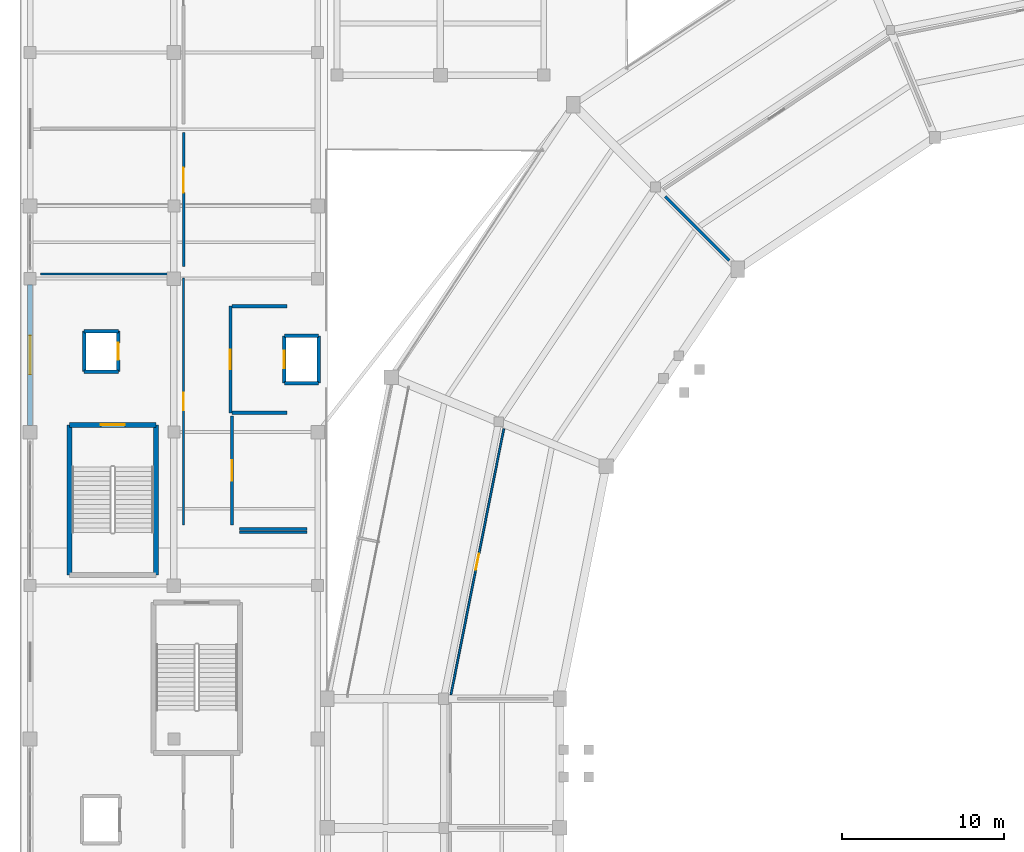
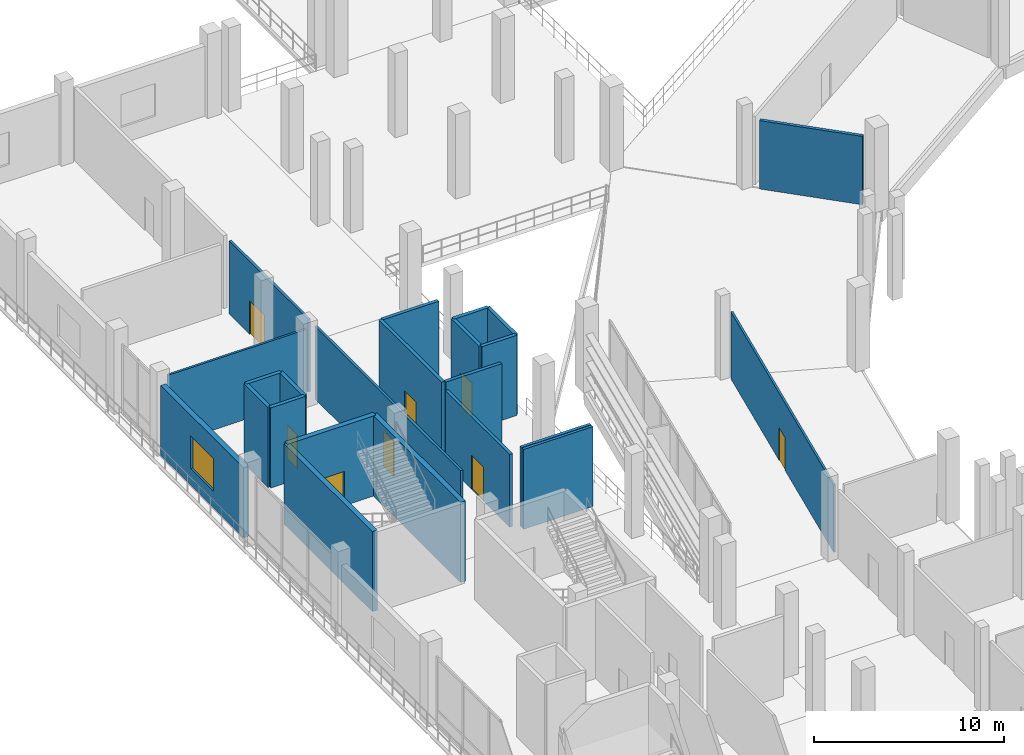
# One storey, part 75 of 114: 23 walls, 8 doors, 1 window, 9 openings.
"""IFC4 building model written with IfcOpenShell, lengths in metres."""

from ifc_helpers import new_model, si_unit, direction, frame, frame_2d, origin, place, context, subcontext, project, spatial, rectangle, extrude, material, layer, layer_set, type_object, element, fill, save


model = new_model("IFC4")

# Units and contexts
model_context = context("Model", 3, precision=1e-05, world=origin(), true_north=direction((0.0, 1.0)))
body_context = subcontext(model_context, "Body", "Model", "MODEL_VIEW")
ifc_project = project(units=[si_unit("LENGTHUNIT", "METRE"), si_unit("AREAUNIT", "SQUARE_METRE"), si_unit("VOLUMEUNIT", "CUBIC_METRE"), si_unit("PLANEANGLEUNIT", "RADIAN"), si_unit("MASSUNIT", "GRAM", prefix="KILO")], contexts=[model_context])

# Site, building, storey
site_placement = place(None, origin())
site = spatial("IfcSite", under=ifc_project, at=site_placement, CompositionType="ELEMENT")
building_placement = place(site_placement, origin())
building = spatial("IfcBuilding", under=site, at=building_placement, Name="Candeia Ridge Stadium", CompositionType="ELEMENT")
storey_placement = place(building_placement, frame((0.0, 0.0, 5.39990234375)))
storey = spatial("IfcBuildingStorey", under=building, at=storey_placement, Name="L01", CompositionType="ELEMENT", Elevation=5.39990234375)

# Wall, opening, door
ifc_material_1 = material(Name="Gypsum Metal-Stud Partition", Category="gypsum")
ifc_layer_1 = layer(ifc_material_1, 0.14501953125, Name="Gypsum Metal-Stud Partition", Category="gypsum")
ifc_layer_set_1 = layer_set([ifc_layer_1], Name="Gypsum Metal-Stud Partition")
wall_type_1 = type_object("IfcWallType", Name="Athlete Recovery Partition 145", PredefinedType="PARTITIONING", material=ifc_layer_set_1)
wall_1_placement = place(storey_placement, frame((10.10009765625, 121.050048828125, 0.0), z_axis=(0.0, 0.0, 1.0), x_axis=(0.0, -1.0, 0.0)))
wall_1 = element("IfcWall", 1, at=wall_1_placement, inside=storey, type_object=wall_type_1, Name="Interior partition PT-L01-0189", PredefinedType="PARTITIONING", context=body_context, shape_type="SweptSolid", body=[
    extrude(rectangle(XDim=15.300048828125, YDim=0.14501953125, at=frame_2d((7.64990234375, 0.0))), origin(), (0.0, 0.0, 1.0), 4.668212890625),
])
opening_1_placement = place(wall_1_placement, frame((7.110107421875, 0.0, 0.0)))
opening_1 = element("IfcOpeningElement", 2, at=opening_1_placement, cuts=wall_1, Name="Opening ID08", PredefinedType="OPENING", context=body_context, shape_type="SweptSolid", body=[
    extrude(rectangle(XDim=1.080078125, YDim=2.25, at=frame_2d((0.5400390625, 1.125))), frame((0.0, 0.08251953125, 0.0), z_axis=(0.0, -1.0, 0.0), x_axis=(1.0, 0.0, 0.0)), (0.0, 0.0, 1.0), 0.1650390625),
])
ifc_material_2 = material(Name="Western Red Cedar Acoustic Veneer", Category="wood")
door_type_1 = type_object("IfcDoorType", Name="Executive Skybox Entry Door 1080x2250", OperationType="NOTDEFINED", PredefinedType="DOOR", material=ifc_material_2)
door_1_placement = place(opening_1_placement, origin())
door_1 = element("IfcDoor", 3, at=door_1_placement, inside=storey, type_object=door_type_1, Name="Interior room door D-L01-0099", OperationType="SINGLE_SWING_LEFT", OverallHeight=2.25, OverallWidth=1.080078125, PredefinedType="DOOR", context=body_context, shape_type="SweptSolid", body=[
    extrude(rectangle(XDim=1.080078125, YDim=2.25, at=frame_2d((0.5400390625, 1.125))), frame((0.0, 0.02490234375, 0.0), z_axis=(0.0, -1.0, 0.0), x_axis=(1.0, 0.0, 0.0)), (0.0, 0.0, 1.0), 0.050048828125),
])
fill(opening_1, door_1)

ifc_material_3 = material(Name="Concrete Masonry Blockwork C25/30", Category="masonry")
ifc_layer_2 = layer(ifc_material_3, 0.14990234375, Name="Concrete Masonry Blockwork C25/30", Category="masonry")
ifc_layer_set_2 = layer_set([ifc_layer_2], Name="Concrete Masonry Blockwork C25/30")
wall_type_2 = type_object("IfcWallType", Name="Concourse Kiosk Partition 150", PredefinedType="PARTITIONING", material=ifc_layer_set_2)
wall_2_placement = place(storey_placement, frame((10.10009765625, 130.050048828125, 0.0), z_axis=(0.0, 0.0, 1.0), x_axis=(0.0, -1.0, 0.0)))
wall_2 = element("IfcWall", 4, at=wall_2_placement, inside=storey, type_object=wall_type_2, Name="Interior partition PT-L01-0193", PredefinedType="PARTITIONING", context=body_context, shape_type="SweptSolid", body=[
    extrude(rectangle(XDim=8.300048828125, YDim=0.14990234375, at=frame_2d((4.14990234375, 0.0))), origin(), (0.0, 0.0, 1.0), 4.668212890625),
])
opening_2_placement = place(wall_2_placement, frame((2.175048828125, 0.0, 0.0)))
opening_2 = element("IfcOpeningElement", 5, at=opening_2_placement, cuts=wall_2, Name="Opening ID14", PredefinedType="OPENING", context=body_context, shape_type="SweptSolid", body=[
    extrude(rectangle(XDim=1.550048828125, YDim=2.14990234375, at=frame_2d((0.77490234375, 1.074951171875))), frame((0.0, 0.0849609375, 0.0), z_axis=(0.0, -1.0, 0.0), x_axis=(1.0, 0.0, 0.0)), (0.0, 0.0, 1.0), 0.169921875),
])
ifc_material_4 = material(Name="Brushed Stainless Steel", Category="steel")
door_type_2 = type_object("IfcDoorType", Name="Catering Kitchen Double Door 1550x2150", OperationType="NOTDEFINED", PredefinedType="DOOR", material=ifc_material_4)
door_2_placement = place(opening_2_placement, origin())
door_2 = element("IfcDoor", 6, at=door_2_placement, inside=storey, type_object=door_type_2, Name="Interior room door D-L01-0101", OperationType="DOUBLE_DOOR_SINGLE_SWING", OverallHeight=2.14990234375, OverallWidth=1.550048828125, PredefinedType="DOOR", context=body_context, shape_type="SweptSolid", body=[
    extrude(rectangle(XDim=1.550048828125, YDim=2.14990234375, at=frame_2d((0.77490234375, 1.074951171875))), frame((0.0, 0.02490234375, 0.0), z_axis=(0.0, -1.0, 0.0), x_axis=(1.0, 0.0, 0.0)), (0.0, 0.0, 1.0), 0.050048828125),
])
fill(opening_2, door_2)

# Walls
ifc_material_5 = material(Name="Concrete C45/55", Category="concrete")
ifc_layer_3 = layer(ifc_material_5, 0.300048828125, Name="Concrete C45/55", Category="concrete")
ifc_layer_set_3 = layer_set([ifc_layer_3], Name="Concrete C45/55")
wall_type_3 = type_object("IfcWallType", Name="Core Shear Wall Concrete 300", PredefinedType="SHEAR", material=ifc_layer_set_3)
for number, where, z_axis, x_axis, name in (
    (7, (3.05029296875, 111.94970703125, 0.0), (0.0, 0.0, 1.0), (0.0, -1.0, 0.0), "Core C06 left shear wall L01"),
    (8, (8.399658203125, 102.650390625, 0.0), (0.0, 0.0, 1.0), (0.0, 1.0, 0.0), "Core C06 right shear wall L01"),
):
    element("IfcWall", number, at=place(storey_placement, frame(where, z_axis=z_axis, x_axis=x_axis)), inside=storey, type_object=wall_type_3, Name=name, PredefinedType="SHEAR", context=body_context, shape_type="SweptSolid", body=[
        extrude(rectangle(XDim=9.29931640625, YDim=0.300048828125, at=frame_2d((4.649658203125, 0.0))), origin(), (0.0, 0.0, 1.0), 5.14013671875),
    ])

# Wall, opening, door
wall_3_placement = place(storey_placement, frame((8.399658203125, 111.94970703125, 0.0), z_axis=(0.0, 0.0, 1.0), x_axis=(-1.0, 0.0, 0.0)))
wall_3 = element("IfcWall", 9, at=wall_3_placement, inside=storey, type_object=wall_type_3, Name="Core C06 near shear wall L01", PredefinedType="SHEAR", context=body_context, shape_type="SweptSolid", body=[
    extrude(rectangle(XDim=5.349365234375, YDim=0.300048828125, at=frame_2d((2.6748046875, 0.0))), origin(), (0.0, 0.0, 1.0), 5.14013671875),
])
opening_3_placement = place(wall_3_placement, frame((1.924560546875, 0.0, 0.0)))
opening_3 = element("IfcOpeningElement", 10, at=opening_3_placement, cuts=wall_3, Name="Opening FD01", PredefinedType="OPENING", context=body_context, shape_type="SweptSolid", body=[
    extrude(rectangle(XDim=1.5, YDim=2.199951171875, at=frame_2d((0.75, 1.10009765625))), frame((0.0, 0.159912109375, 0.0), z_axis=(0.0, -1.0, 0.0), x_axis=(1.0, 0.0, 0.0)), (0.0, 0.0, 1.0), 0.320068359375),
])
ifc_material_6 = material(Name="Galvanized Fire-Rated Steel", Category="steel")
door_type_3 = type_object("IfcDoorType", Name="Exit Stair Core Fire Door 1500x2200", OperationType="NOTDEFINED", PredefinedType="DOOR", material=ifc_material_6)
door_3_placement = place(opening_3_placement, origin())
door_3 = element("IfcDoor", 11, at=door_3_placement, inside=storey, type_object=door_type_3, Name="Exit stair fire door SD-ST06-L01", OperationType="DOUBLE_DOOR_SINGLE_SWING", OverallHeight=2.199951171875, OverallWidth=1.5, PredefinedType="DOOR", context=body_context, shape_type="SweptSolid", body=[
    extrude(rectangle(XDim=1.5, YDim=2.199951171875, at=frame_2d((0.75, 1.10009765625))), frame((0.0, 0.02490234375, 0.0), z_axis=(0.0, -1.0, 0.0), x_axis=(1.0, 0.0, 0.0)), (0.0, 0.0, 1.0), 0.050048828125),
])
fill(opening_3, door_3)

ifc_material_7 = material(Name="Gypsum Acoustic Twin-Stud Assembly", Category="gypsum")
ifc_layer_4 = layer(ifc_material_7, 0.179931640625, Name="Gypsum Acoustic Twin-Stud Assembly", Category="gypsum")
ifc_layer_set_4 = layer_set([ifc_layer_4], Name="Gypsum Acoustic Twin-Stud Assembly")
wall_type_4 = type_object("IfcWallType", Name="Corridor Fire Partition 180", PredefinedType="PARTITIONING", material=ifc_layer_set_4)
wall_4_placement = place(storey_placement, frame((13.10009765625, 105.75, 0.0), z_axis=(0.0, 0.0, 1.0), x_axis=(0.0, 1.0, 0.0)))
wall_4 = element("IfcWall", 12, at=wall_4_placement, inside=storey, type_object=wall_type_4, Name="Interior partition PT-L01-0191", PredefinedType="PARTITIONING", context=body_context, shape_type="SweptSolid", body=[
    extrude(rectangle(XDim=6.760009765625, YDim=0.179931640625, at=frame_2d((3.3798828125, 0.0))), origin(), (0.0, 0.0, 1.0), 4.668212890625),
])
opening_4_placement = place(wall_4_placement, frame((2.7548828125, 0.0, 0.0)))
opening_4 = element("IfcOpeningElement", 13, at=opening_4_placement, cuts=wall_4, Name="Opening ID11", PredefinedType="OPENING", context=body_context, shape_type="SweptSolid", body=[
    extrude(rectangle(XDim=1.25, YDim=2.199951171875, at=frame_2d((0.625, 1.10009765625))), frame((0.0, 0.099853515625, 0.0), z_axis=(0.0, -1.0, 0.0), x_axis=(1.0, 0.0, 0.0)), (0.0, 0.0, 1.0), 0.199951171875),
])
ifc_material_8 = material(Name="Acoustic Timber Studio Leaf", Category="wood")
door_type_4 = type_object("IfcDoorType", Name="Press Tribune Acoustic Door 1250x2200", OperationType="NOTDEFINED", PredefinedType="DOOR", material=ifc_material_8)
door_4_placement = place(opening_4_placement, origin())
door_4 = element("IfcDoor", 14, at=door_4_placement, inside=storey, type_object=door_type_4, Name="Interior room door D-L01-0100", OperationType="SINGLE_SWING_RIGHT", OverallHeight=2.199951171875, OverallWidth=1.25, PredefinedType="DOOR", context=body_context, shape_type="SweptSolid", body=[
    extrude(rectangle(XDim=1.25, YDim=2.199951171875, at=frame_2d((0.625, 1.10009765625))), frame((0.0, 0.02490234375, 0.0), z_axis=(0.0, -1.0, 0.0), x_axis=(1.0, 0.0, 0.0)), (0.0, 0.0, 1.0), 0.050048828125),
])
fill(opening_4, door_4)

# Wall
wall_5_placement = place(storey_placement, frame((17.75, 105.5, 0.0), z_axis=(0.0, 0.0, 1.0), x_axis=(-1.0, 0.0, 0.0)))
element("IfcWall", 15, at=wall_5_placement, inside=storey, type_object=wall_type_4, Name="Demising partition PT-L01-0192", PredefinedType="PARTITIONING", context=body_context, shape_type="SweptSolid", body=[
    extrude(rectangle(XDim=4.199951171875, YDim=0.179931640625, at=frame_2d((2.10009765625, 0.0))), origin(), (0.0, 0.0, 1.0), 5.1201171875),
])

# Wall, opening, window
ifc_material_9 = material(Name="Concrete C35/45", Category="concrete")
ifc_layer_5 = layer(ifc_material_9, 0.320068359375, Name="Concrete C35/45", Category="concrete")
ifc_layer_set_5 = layer_set([ifc_layer_5], Name="Concrete C35/45")
wall_type_5 = type_object("IfcWallType", Name="Exterior Cedar-Clad Insulated Wall 320", PredefinedType="SOLIDWALL", material=ifc_layer_set_5)
wall_6_placement = place(storey_placement, frame((0.60009765625, 111.9130859375, 0.0), z_axis=(0.0, 0.0, 1.0), x_axis=(0.0, 1.0, 0.0)))
wall_6 = element("IfcWall", 16, at=wall_6_placement, inside=storey, type_object=wall_type_5, Name="Exterior facade wall EW-L01-0068", PredefinedType="SOLIDWALL", context=body_context, shape_type="SweptSolid", body=[
    extrude(rectangle(XDim=8.723876953125, YDim=0.320068359375, at=frame_2d((4.36181640625, 0.0))), origin(), (0.0, 0.0, 1.0), 4.47509765625),
])
opening_5_placement = place(wall_6_placement, frame((3.162109375, 0.0, 1.050048828125)))
opening_5 = element("IfcOpeningElement", 17, at=opening_5_placement, cuts=wall_6, Name="Opening W03", PredefinedType="OPENING", context=body_context, shape_type="SweptSolid", body=[
    extrude(rectangle(XDim=2.39990234375, YDim=2.10009765625, at=frame_2d((1.199951171875, 1.050048828125))), frame((0.0, 0.169921875, 0.0), z_axis=(0.0, -1.0, 0.0), x_axis=(1.0, 0.0, 0.0)), (0.0, 0.0, 1.0), 0.340087890625),
])
ifc_material_10 = material(Name="Tempered Solar-Control Double Glazing", Category="glass")
window_type = type_object("IfcWindowType", Name="Hospitality Ribbon Window 2400x2100", PartitioningType="SINGLE_PANEL", PredefinedType="WINDOW", material=ifc_material_10)
window_placement = place(opening_5_placement, origin())
window = element("IfcWindow", 18, at=window_placement, inside=storey, type_object=window_type, Name="Exterior window WIN-L01-023", OverallHeight=2.10009765625, OverallWidth=2.39990234375, PartitioningType="SINGLE_PANEL", PredefinedType="WINDOW", context=body_context, shape_type="SweptSolid", body=[
    extrude(rectangle(XDim=2.39990234375, YDim=2.10009765625, at=frame_2d((1.199951171875, 1.050048828125))), frame((0.0, 0.030029296875, 0.0), z_axis=(0.0, -1.0, 0.0), x_axis=(1.0, 0.0, 0.0)), (0.0, 0.0, 1.0), 0.06005859375),
])
fill(opening_5, window)

# Walls
ifc_layer_6 = layer(ifc_material_9, 0.199951171875, Name="Concrete C35/45", Category="concrete")
ifc_layer_set_6 = layer_set([ifc_layer_6], Name="Concrete C35/45")
wall_type_6 = type_object("IfcWallType", Name="Firefighting Lobby Rated Wall 200", PredefinedType="SOLIDWALL", material=ifc_layer_set_6)
for number, where, z_axis, x_axis, name in (
    (19, (13.10009765625, 112.699951171875, 0.0), (0.0, 0.0, 1.0), (1.0, 0.0, 0.0), "Firefighting lift lobby FF2 rated wall L01 south"),
    (20, (16.5, 119.300048828125, 0.0), (0.0, 0.0, 1.0), (-1.0, 0.0, 0.0), "Firefighting lift lobby FF2 rated wall L01 north"),
):
    element("IfcWall", number, at=place(storey_placement, frame(where, z_axis=z_axis, x_axis=x_axis)), inside=storey, type_object=wall_type_6, Name=name, PredefinedType="SOLIDWALL", context=body_context, shape_type="SweptSolid", body=[
        extrude(rectangle(XDim=3.39990234375, YDim=0.199951171875, at=frame_2d((1.699951171875, 0.0))), origin(), (0.0, 0.0, 1.0), 5.1201171875),
    ])

# Wall, opening, door
wall_7_placement = place(storey_placement, frame((13.0, 119.300048828125, 0.0), z_axis=(0.0, 0.0, 1.0), x_axis=(0.0, -1.0, 0.0)))
wall_7 = element("IfcWall", 21, at=wall_7_placement, inside=storey, type_object=wall_type_6, Name="Firefighting lift lobby FF2 rated wall L01 entry", PredefinedType="SOLIDWALL", context=body_context, shape_type="SweptSolid", body=[
    extrude(rectangle(XDim=6.60009765625, YDim=0.199951171875, at=frame_2d((3.300048828125, 0.0))), origin(), (0.0, 0.0, 1.0), 5.1201171875),
])
opening_6_placement = place(wall_7_placement, frame((2.699951171875, 0.0, 0.0)))
opening_6 = element("IfcOpeningElement", 22, at=opening_6_placement, cuts=wall_7, Name="Opening FD02", PredefinedType="OPENING", context=body_context, shape_type="SweptSolid", body=[
    extrude(rectangle(XDim=1.199951171875, YDim=2.199951171875, at=frame_2d((0.60009765625, 1.10009765625))), frame((0.0, 0.10986328125, 0.0), z_axis=(0.0, -1.0, 0.0), x_axis=(1.0, 0.0, 0.0)), (0.0, 0.0, 1.0), 0.219970703125),
])
door_type_5 = type_object("IfcDoorType", Name="Firefighting Lobby Fire Door 1200x2200", OperationType="NOTDEFINED", PredefinedType="DOOR", material=ifc_material_6)
door_5_placement = place(opening_6_placement, frame((1.199951171875, 0.0, 0.0), z_axis=(0.0, 0.0, 1.0), x_axis=(-1.0, 0.0, 0.0)))
door_5 = element("IfcDoor", 23, at=door_5_placement, inside=storey, type_object=door_type_5, Name="Firefighting lobby fire door FFD-FF2-L01", OperationType="SINGLE_SWING_RIGHT", OverallHeight=2.199951171875, OverallWidth=1.199951171875, PredefinedType="DOOR", context=body_context, shape_type="SweptSolid", body=[
    extrude(rectangle(XDim=1.199951171875, YDim=2.199951171875, at=frame_2d((0.60009765625, 1.10009765625))), frame((0.0, 0.02490234375, 0.0), z_axis=(0.0, -1.0, 0.0), x_axis=(1.0, 0.0, 0.0)), (0.0, 0.0, 1.0), 0.050048828125),
])
fill(opening_6, door_5)

# Walls
ifc_material_11 = material(Name="Concrete C40/50", Category="concrete")
ifc_layer_7 = layer(ifc_material_11, 0.219970703125, Name="Concrete C40/50", Category="concrete")
ifc_layer_set_7 = layer_set([ifc_layer_7], Name="Concrete C40/50")
wall_type_7 = type_object("IfcWallType", Name="Lift & Riser Shaft Wall 220", PredefinedType="SHEAR", material=ifc_layer_set_7)
wall_8_placement = place(storey_placement, frame((16.340087890625, 114.5400390625, 0.0), z_axis=(0.0, 0.0, 1.0), x_axis=(1.0, 0.0, 0.0)))
element("IfcWall", 24, at=wall_8_placement, inside=storey, type_object=wall_type_7, Name="Lift FF2 shaft wall L01 south", PredefinedType="SHEAR", context=body_context, shape_type="SweptSolid", body=[
    extrude(rectangle(XDim=2.119873046875, YDim=0.219970703125, at=frame_2d((1.06005859375, 0.0))), origin(), (0.0, 0.0, 1.0), 5.14013671875),
])
wall_9_placement = place(storey_placement, frame((18.4599609375, 114.5400390625, 0.0), z_axis=(0.0, 0.0, 1.0), x_axis=(0.0, 1.0, 0.0)))
element("IfcWall", 25, at=wall_9_placement, inside=storey, type_object=wall_type_7, Name="Lift FF2 shaft wall L01 east", PredefinedType="SHEAR", context=body_context, shape_type="SweptSolid", body=[
    extrude(rectangle(XDim=2.919921875, YDim=0.219970703125, at=frame_2d((1.4599609375, 0.0))), origin(), (0.0, 0.0, 1.0), 5.14013671875),
])
wall_10_placement = place(storey_placement, frame((18.4599609375, 117.4599609375, 0.0), z_axis=(0.0, 0.0, 1.0), x_axis=(-1.0, 0.0, 0.0)))
element("IfcWall", 26, at=wall_10_placement, inside=storey, type_object=wall_type_7, Name="Lift FF2 shaft wall L01 north", PredefinedType="SHEAR", context=body_context, shape_type="SweptSolid", body=[
    extrude(rectangle(XDim=2.119873046875, YDim=0.219970703125, at=frame_2d((1.06005859375, 0.0))), origin(), (0.0, 0.0, 1.0), 5.14013671875),
])

# Wall, opening, door
wall_11_placement = place(storey_placement, frame((16.340087890625, 117.4599609375, 0.0), z_axis=(0.0, 0.0, 1.0), x_axis=(0.0, -1.0, 0.0)))
wall_11 = element("IfcWall", 27, at=wall_11_placement, inside=storey, type_object=wall_type_7, Name="Lift FF2 shaft wall L01 west", PredefinedType="SHEAR", context=body_context, shape_type="SweptSolid", body=[
    extrude(rectangle(XDim=2.919921875, YDim=0.219970703125, at=frame_2d((1.4599609375, 0.0))), origin(), (0.0, 0.0, 1.0), 5.14013671875),
])
opening_7_placement = place(wall_11_placement, frame((0.909912109375, 0.0, 0.0)))
opening_7 = element("IfcOpeningElement", 28, at=opening_7_placement, cuts=wall_11, Name="Opening LD01", PredefinedType="OPENING", context=body_context, shape_type="SweptSolid", body=[
    extrude(rectangle(XDim=1.10009765625, YDim=2.199951171875, at=frame_2d((0.550048828125, 1.10009765625))), frame((0.0, 0.119873046875, 0.0), z_axis=(0.0, -1.0, 0.0), x_axis=(1.0, 0.0, 0.0)), (0.0, 0.0, 1.0), 0.239990234375),
])
door_type_6 = type_object("IfcDoorType", Name="Firefighting Lift Landing Door 1100x2200", OperationType="NOTDEFINED", PredefinedType="DOOR", material=ifc_material_4)
door_6_placement = place(opening_7_placement, origin())
door_6 = element("IfcDoor", 29, at=door_6_placement, inside=storey, type_object=door_type_6, Name="Lift landing sliding door LD-FF2-L01", OperationType="DOUBLE_DOOR_SLIDING", OverallHeight=2.199951171875, OverallWidth=1.10009765625, PredefinedType="DOOR", context=body_context, shape_type="SweptSolid", body=[
    extrude(rectangle(XDim=1.10009765625, YDim=2.199951171875, at=frame_2d((0.550048828125, 1.10009765625))), frame((0.0, 0.02490234375, 0.0), z_axis=(0.0, -1.0, 0.0), x_axis=(1.0, 0.0, 0.0)), (0.0, 0.0, 1.0), 0.050048828125),
])
fill(opening_7, door_6)

# Wall
wall_12_placement = place(storey_placement, frame((3.93994140625, 115.239990234375, 0.0), z_axis=(0.0, 0.0, 1.0), x_axis=(1.0, 0.0, 0.0)))
element("IfcWall", 30, at=wall_12_placement, inside=storey, type_object=wall_type_7, Name="Lift VL2 shaft wall L01 south", PredefinedType="SHEAR", context=body_context, shape_type="SweptSolid", body=[
    extrude(rectangle(XDim=2.1201171875, YDim=0.219970703125, at=frame_2d((1.06005859375, 0.0))), origin(), (0.0, 0.0, 1.0), 5.14013671875),
])

# Wall, opening, door
wall_13_placement = place(storey_placement, frame((6.06005859375, 115.239990234375, 0.0), z_axis=(0.0, 0.0, 1.0), x_axis=(0.0, 1.0, 0.0)))
wall_13 = element("IfcWall", 31, at=wall_13_placement, inside=storey, type_object=wall_type_7, Name="Lift VL2 shaft wall L01 east", PredefinedType="SHEAR", context=body_context, shape_type="SweptSolid", body=[
    extrude(rectangle(XDim=2.52001953125, YDim=0.219970703125, at=frame_2d((1.260009765625, 0.0))), origin(), (0.0, 0.0, 1.0), 5.14013671875),
])
opening_8_placement = place(wall_13_placement, frame((0.735107421875, 0.0, 0.0)))
opening_8 = element("IfcOpeningElement", 32, at=opening_8_placement, cuts=wall_13, Name="Opening LD02", PredefinedType="OPENING", context=body_context, shape_type="SweptSolid", body=[
    extrude(rectangle(XDim=1.050048828125, YDim=2.14990234375, at=frame_2d((0.52490234375, 1.074951171875))), frame((0.0, 0.119873046875, 0.0), z_axis=(0.0, -1.0, 0.0), x_axis=(1.0, 0.0, 0.0)), (0.0, 0.0, 1.0), 0.239990234375),
])
door_type_7 = type_object("IfcDoorType", Name="Passenger Lift Landing Door 1050x2150", OperationType="NOTDEFINED", PredefinedType="DOOR", material=ifc_material_4)
door_7_placement = place(opening_8_placement, origin())
door_7 = element("IfcDoor", 33, at=door_7_placement, inside=storey, type_object=door_type_7, Name="Lift landing sliding door LD-VL2-L01", OperationType="DOUBLE_DOOR_SLIDING", OverallHeight=2.14990234375, OverallWidth=1.050048828125, PredefinedType="DOOR", context=body_context, shape_type="SweptSolid", body=[
    extrude(rectangle(XDim=1.050048828125, YDim=2.14990234375, at=frame_2d((0.52490234375, 1.074951171875))), frame((0.0, 0.02490234375, 0.0), z_axis=(0.0, -1.0, 0.0), x_axis=(1.0, 0.0, 0.0)), (0.0, 0.0, 1.0), 0.050048828125),
])
fill(opening_8, door_7)

# Walls
wall_14_placement = place(storey_placement, frame((6.06005859375, 117.760009765625, 0.0), z_axis=(0.0, 0.0, 1.0), x_axis=(-1.0, 0.0, 0.0)))
element("IfcWall", 34, at=wall_14_placement, inside=storey, type_object=wall_type_7, Name="Lift VL2 shaft wall L01 north", PredefinedType="SHEAR", context=body_context, shape_type="SweptSolid", body=[
    extrude(rectangle(XDim=2.1201171875, YDim=0.219970703125, at=frame_2d((1.06005859375, 0.0))), origin(), (0.0, 0.0, 1.0), 5.14013671875),
])
wall_15_placement = place(storey_placement, frame((3.93994140625, 117.760009765625, 0.0), z_axis=(0.0, 0.0, 1.0), x_axis=(0.0, -1.0, 0.0)))
element("IfcWall", 35, at=wall_15_placement, inside=storey, type_object=wall_type_7, Name="Lift VL2 shaft wall L01 west", PredefinedType="SHEAR", context=body_context, shape_type="SweptSolid", body=[
    extrude(rectangle(XDim=2.52001953125, YDim=0.219970703125, at=frame_2d((1.260009765625, 0.0))), origin(), (0.0, 0.0, 1.0), 5.14013671875),
])
ifc_material_12 = material(Name="Gypsum Acoustic Triple-Board Wall", Category="gypsum")
ifc_layer_8 = layer(ifc_material_12, 0.18505859375, Name="Gypsum Acoustic Triple-Board Wall", Category="gypsum")
ifc_layer_set_8 = layer_set([ifc_layer_8], Name="Gypsum Acoustic Triple-Board Wall")
wall_type_8 = type_object("IfcWallType", Name="Media Booth Studio Divider 185", PredefinedType="PARTITIONING", material=ifc_layer_set_8)
wall_16_placement = place(storey_placement, frame((43.882568359375, 122.117431640625, 0.0), z_axis=(0.0, 0.0, 1.0), x_axis=(-0.707106781187, 0.707106781187, 0.0)))
element("IfcWall", 36, at=wall_16_placement, inside=storey, type_object=wall_type_8, Name="Demising partition PT-L01-0289", PredefinedType="PARTITIONING", context=body_context, shape_type="SweptSolid", body=[
    extrude(rectangle(XDim=5.600341796875, YDim=0.18505859375, at=frame_2d((2.80029296875, 0.0))), origin(), (0.0, 0.0, 1.0), 4.385009765625),
])
ifc_layer_9 = layer(ifc_material_7, 0.169921875, Name="Gypsum Acoustic Twin-Stud Assembly", Category="gypsum")
ifc_layer_set_9 = layer_set([ifc_layer_9], Name="Gypsum Acoustic Twin-Stud Assembly")
wall_type_9 = type_object("IfcWallType", Name="Skybox Demising Acoustic Wall 170", PredefinedType="PARTITIONING", material=ifc_layer_set_9)
wall_17_placement = place(storey_placement, frame((13.550048828125, 105.300048828125, 0.0), z_axis=(0.0, 0.0, 1.0), x_axis=(1.0, 0.0, 0.0)))
element("IfcWall", 37, at=wall_17_placement, inside=storey, type_object=wall_type_9, Name="Demising partition PT-L01-0188", PredefinedType="PARTITIONING", context=body_context, shape_type="SweptSolid", body=[
    extrude(rectangle(XDim=4.199951171875, YDim=0.169921875, at=frame_2d((2.10009765625, 0.0))), origin(), (0.0, 0.0, 1.0), 5.1201171875),
])

# Wall, opening, door
ifc_layer_10 = layer(ifc_material_1, 0.1201171875, Name="Gypsum Metal-Stud Partition", Category="gypsum")
ifc_layer_set_10 = layer_set([ifc_layer_10], Name="Gypsum Metal-Stud Partition")
wall_type_10 = type_object("IfcWallType", Name="Suite Internal Divider 120", PredefinedType="PARTITIONING", material=ifc_layer_set_10)
wall_18_placement = place(storey_placement, frame((26.648681640625, 95.2451171875, 0.0), z_axis=(0.0, 0.0, 1.0), x_axis=(0.195100557291, 0.980783244425, 0.0)))
wall_18 = element("IfcWall", 38, at=wall_18_placement, inside=storey, type_object=wall_type_10, Name="Interior partition PT-L01-0290", PredefinedType="PARTITIONING", context=body_context, shape_type="SweptSolid", body=[
    extrude(rectangle(XDim=16.783203125, YDim=0.1201171875, at=frame_2d((8.3916015625, 0.0))), origin(), (0.0, 0.0, 1.0), 4.30517578125),
])
opening_9_placement = place(wall_18_placement, frame((7.8916015625, 0.0, 0.0)))
opening_9 = element("IfcOpeningElement", 39, at=opening_9_placement, cuts=wall_18, Name="Opening ID06", PredefinedType="OPENING", context=body_context, shape_type="SweptSolid", body=[
    extrude(rectangle(XDim=1.0, YDim=2.10009765625, at=frame_2d((0.5, 1.050048828125))), frame((0.0, 0.070068359375, 0.0), z_axis=(0.0, -1.0, 0.0), x_axis=(1.0, 0.0, 0.0)), (0.0, 0.0, 1.0), 0.14013671875),
])
ifc_material_13 = material(Name="Moisture-Resistant Laminate", Category="wood")
door_type_8 = type_object("IfcDoorType", Name="Accessible Sanitary Door 1000x2100", OperationType="NOTDEFINED", PredefinedType="DOOR", material=ifc_material_13)
door_8_placement = place(opening_9_placement, frame((1.0, 0.0, 0.0), z_axis=(0.0, 0.0, 1.0), x_axis=(-1.0, 0.0, 0.0)))
door_8 = element("IfcDoor", 40, at=door_8_placement, inside=storey, type_object=door_type_8, Name="Interior room door D-L01-0150", OperationType="SINGLE_SWING_RIGHT", OverallHeight=2.10009765625, OverallWidth=1.0, PredefinedType="DOOR", context=body_context, shape_type="SweptSolid", body=[
    extrude(rectangle(XDim=1.0, YDim=2.10009765625, at=frame_2d((0.5, 1.050048828125))), frame((0.0, 0.02490234375, 0.0), z_axis=(0.0, -1.0, 0.0), x_axis=(1.0, 0.0, 0.0)), (0.0, 0.0, 1.0), 0.050048828125),
])
fill(opening_9, door_8)

# Wall
ifc_layer_11 = layer(ifc_material_1, 0.1298828125, Name="Gypsum Metal-Stud Partition", Category="gypsum")
ifc_layer_set_11 = layer_set([ifc_layer_11], Name="Gypsum Metal-Stud Partition")
wall_type_11 = type_object("IfcWallType", Name="Ticketing Back-Office Partition 130", PredefinedType="PARTITIONING", material=ifc_layer_set_11)
wall_19_placement = place(storey_placement, frame((1.25, 121.300048828125, 0.0), z_axis=(0.0, 0.0, 1.0), x_axis=(1.0, 0.0, 0.0)))
element("IfcWall", 41, at=wall_19_placement, inside=storey, type_object=wall_type_11, Name="Demising partition PT-L01-0190", PredefinedType="PARTITIONING", context=body_context, shape_type="SweptSolid", body=[
    extrude(rectangle(XDim=8.39990234375, YDim=0.1298828125, at=frame_2d((4.199951171875, 0.0))), origin(), (0.0, 0.0, 1.0), 4.47509765625),
])

save(model, "model.ifc")
